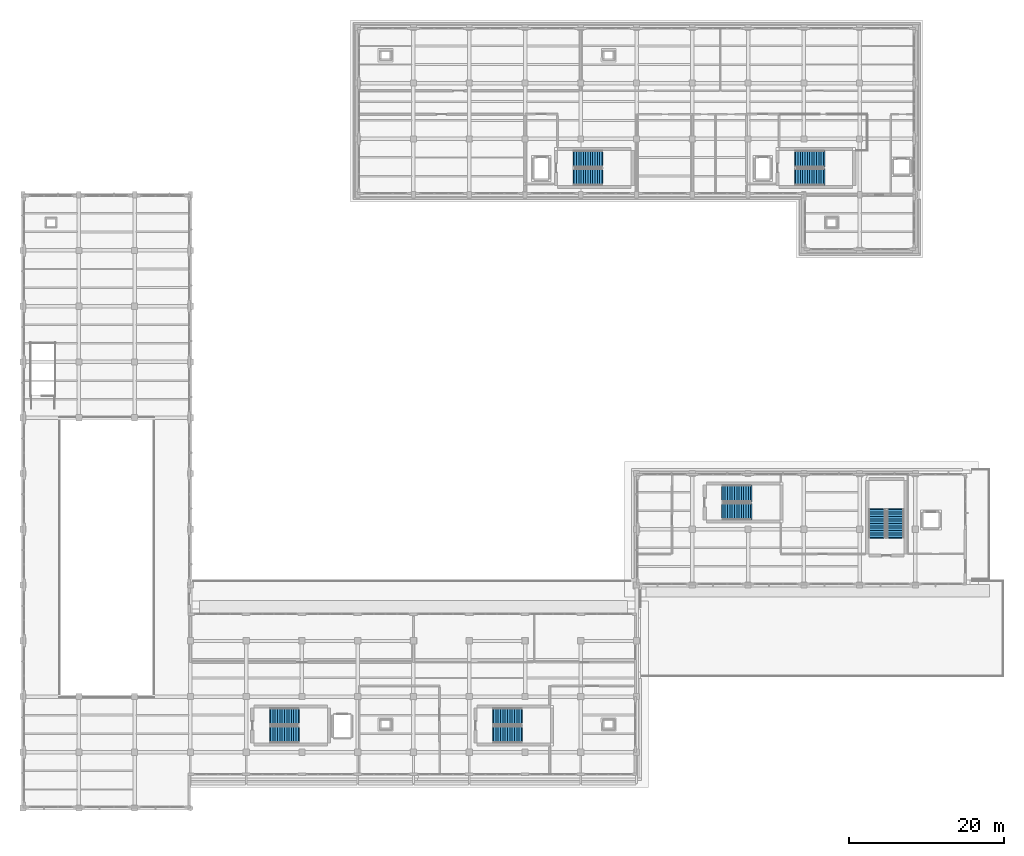
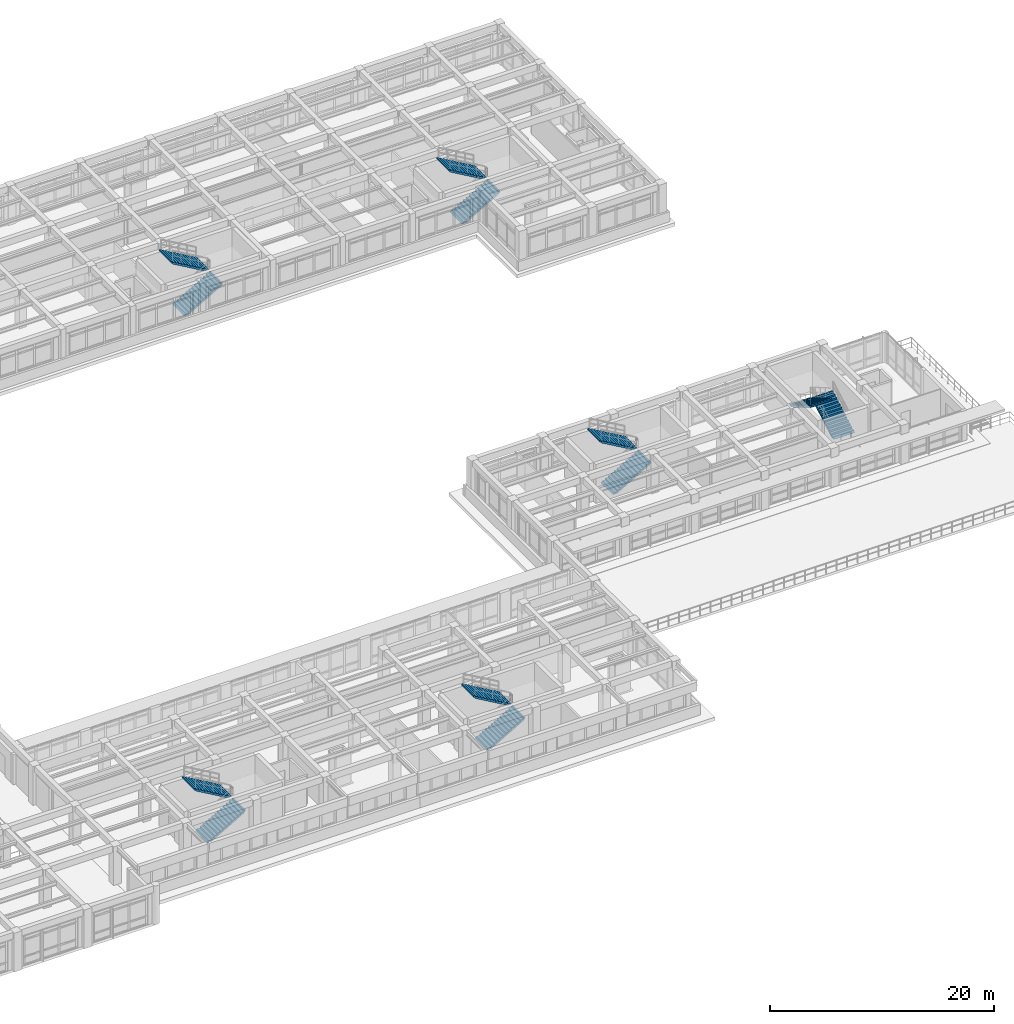
# One storey, part 53 of 67: 12 stair flights, 6 elements without a shape of their own.
"""IFC4 building model written with IfcOpenShell, lengths in metres."""

import ifcopenshell
import ifcopenshell.guid

model = None  # the IFC model being written
_history = None  # IfcOwnerHistory: only IFC2X3 demands one
_inside = {}  # id of a spatial element -> (the spatial element, [elements in it])
_under = {}  # id of a project, library or spatial element -> (it, [spatial elements below it])
_declared = {}  # id of a project -> (the project, [libraries it declares])
_typed = {}  # id of a type object -> (the type object, [elements of that type])
_made_of = {}  # id of a material, layer set ... -> (it, [elements and type objects made of it])


def new_model(schema):
    """Start an empty IFC model of exactly this schema.

    Asked for "IFC4X3", IfcOpenShell would pick the latest addendum, in which some entities
    have other attributes; the version numbers below select the first issue.
    IFC2X3 requires an IfcOwnerHistory on every rooted entity: one is made here for all.
    """
    global model, _history
    if schema == "IFC4X3":
        model = ifcopenshell.file(schema_version=(4, 3, 0, 0))
    else:
        model = ifcopenshell.file(schema=schema)
    _inside.clear()
    _under.clear()
    _declared.clear()
    _typed.clear()
    _made_of.clear()
    _history = None
    if model.schema == "IFC2X3":
        org = make("IfcOrganization", Name="unknown")
        user = make(
            "IfcPersonAndOrganization",
            ThePerson=make("IfcPerson", FamilyName="unknown"),
            TheOrganization=org,
        )
        app = make(
            "IfcApplication",
            ApplicationDeveloper=org,
            Version="unknown",
            ApplicationFullName="unknown",
            ApplicationIdentifier="unknown",
        )
        _history = make(
            "IfcOwnerHistory",
            OwningUser=user,
            OwningApplication=app,
            ChangeAction="ADDED",
            CreationDate=0,
        )
    return model


def make(cls, **values):
    """One entity of the class cls with the attributes given. An attribute that is None is left unset."""
    return model.create_entity(
        cls, **{name: value for name, value in values.items() if value is not None}
    )


def rooted(cls, **values):
    """An entity with a GlobalId (a new one), such as an element, a storey or a relation."""
    return make(cls, GlobalId=ifcopenshell.guid.new(), OwnerHistory=_history, **values)


def si_unit(unit_type, name, prefix=None):
    """IfcSIUnit, for example si_unit("LENGTHUNIT", "METRE", prefix="MILLI")."""
    return make("IfcSIUnit", UnitType=unit_type, Prefix=prefix, Name=name)


def assignment(units):
    """IfcUnitAssignment: the units of a project."""
    return None if units is None else make("IfcUnitAssignment", Units=units)


def point(xyz):
    """IfcCartesianPoint."""
    return None if xyz is None else make("IfcCartesianPoint", Coordinates=xyz)


def direction(xyz):
    """IfcDirection."""
    return None if xyz is None else make("IfcDirection", DirectionRatios=xyz)


def frame(location, z_axis=None, x_axis=None):
    """IfcAxis2Placement3D, a coordinate frame: its origin and axes. An axis left out is left unset."""
    return make(
        "IfcAxis2Placement3D",
        Location=point(location),
        Axis=direction(z_axis),
        RefDirection=direction(x_axis),
    )


def origin():
    """The frame at (0, 0, 0) with its axes left unset."""
    return frame((0.0, 0.0, 0.0))


def place(relative_to, where):
    """IfcLocalPlacement: puts the frame where relative to a parent placement (None: the world)."""
    return make(
        "IfcLocalPlacement", PlacementRelTo=relative_to, RelativePlacement=where
    )


def context(
    kind, dimensions, precision=None, world=None, true_north=None, identifier=None
):
    """IfcGeometricRepresentationContext, for example the 3D "Model" context."""
    return make(
        "IfcGeometricRepresentationContext",
        ContextIdentifier=identifier,
        ContextType=kind,
        CoordinateSpaceDimension=dimensions,
        Precision=precision,
        WorldCoordinateSystem=world,
        TrueNorth=true_north,
    )


def subcontext(parent, identifier, kind, view, scale=None):
    """IfcGeometricRepresentationSubContext, for example "Body" below "Model"."""
    return make(
        "IfcGeometricRepresentationSubContext",
        ContextIdentifier=identifier,
        ContextType=kind,
        ParentContext=parent,
        TargetScale=scale,
        TargetView=view,
    )


def project(units=None, contexts=None):
    """IfcProject with its units and contexts."""
    return rooted(
        "IfcProject",
        Name="project",
        RepresentationContexts=contexts,
        UnitsInContext=assignment(units),
    )


def spatial(cls, under=None, at=None, **own):
    """A site, building, storey or space (cls), placed at a placement, below another one or the project."""
    s = rooted(cls, ObjectPlacement=at, **own)
    if under is not None:
        _under.setdefault(under.id(), (under, []))[1].append(s)
    return s


def polyline(points):
    """IfcPolyline through the points."""
    return make("IfcPolyline", Points=[point(p) for p in points])


def outline(outer, holes=None, kind="AREA"):
    """IfcArbitraryClosedProfileDef: a profile drawn as a closed curve; with holes, ...WithVoids."""
    if holes is None:
        return make("IfcArbitraryClosedProfileDef", ProfileType=kind, OuterCurve=outer)
    return make(
        "IfcArbitraryProfileDefWithVoids",
        ProfileType=kind,
        OuterCurve=outer,
        InnerCurves=holes,
    )


def extrude(swept, where, along, depth):
    """IfcExtrudedAreaSolid: the profile swept, set in the frame where, extruded along a direction by depth."""
    return make(
        "IfcExtrudedAreaSolid",
        SweptArea=swept,
        Position=where,
        ExtrudedDirection=direction(along),
        Depth=depth,
    )


def shape(context_of_items, identifier, shape_type, items):
    """IfcShapeRepresentation: the items that make up one representation, for example the "Body"."""
    return make(
        "IfcShapeRepresentation",
        ContextOfItems=context_of_items,
        RepresentationIdentifier=identifier,
        RepresentationType=shape_type,
        Items=items,
    )


def material(Name=None, Category=None):
    """IfcMaterial."""
    return make("IfcMaterial", Name=Name, Category=Category)


def made_of(thing, what):
    """Note that an element or type object is made of a material, layer set ...; save() writes the relation."""
    if what is not None:
        _made_of.setdefault(what.id(), (what, []))[1].append(thing)
    return thing


def type_object(cls, material=None, **own):
    """A type object (cls), such as IfcWallType, which elements share."""
    return made_of(rooted(cls, **own), material)


def element(
    cls,
    number,
    at=None,
    inside=None,
    cuts=None,
    type_object=None,
    material=None,
    context=None,
    identifier="Body",
    shape_type=None,
    held_by="IfcProductDefinitionShape",
    body=None,
    shapes=None,
    **own,
):
    """One element of the class cls, such as IfcWall. Its Tag is "e" and its number.

    at: its placement. inside: the storey or other place that contains it. cuts: it is an
    opening in that element (IfcRelVoidsElement). A single representation is given by context,
    identifier, shape_type and body (its items); several are given by shapes. held_by: the class
    of the entity that holds the representations. save() writes the other relations.
    """
    e = rooted(cls, Tag="e%d" % number, ObjectPlacement=at, **own)
    if body is not None:
        shapes = [shape(context, identifier, shape_type, body)]
    if shapes is not None:
        e.Representation = make(held_by, Representations=shapes)
    if inside is not None:
        _inside.setdefault(inside.id(), (inside, []))[1].append(e)
    if cuts is not None:
        rooted(
            "IfcRelVoidsElement", RelatingBuildingElement=cuts, RelatedOpeningElement=e
        )
    if type_object is not None:
        _typed.setdefault(type_object.id(), (type_object, []))[1].append(e)
    return made_of(e, material)


def aggregate(whole, parts):
    """IfcRelAggregates: a whole, such as a stair, and the parts it consists of."""
    return rooted("IfcRelAggregates", RelatingObject=whole, RelatedObjects=parts)


def save(model, path):
    """Write the relations noted so far, then the file.

    IfcRelAggregates (storeys below a building ...), IfcRelContainedInSpatialStructure (elements
    in a storey), IfcRelDefinesByType, IfcRelAssociatesMaterial and IfcRelDeclares: one each for
    every whole, place, type object, material and project.
    """
    for whole, parts in _under.values():
        aggregate(whole, parts)
    for where, things in _inside.values():
        rooted(
            "IfcRelContainedInSpatialStructure",
            RelatedElements=things,
            RelatingStructure=where,
        )
    for kind, things in _typed.values():
        rooted("IfcRelDefinesByType", RelatedObjects=things, RelatingType=kind)
    for what, things in _made_of.values():
        rooted("IfcRelAssociatesMaterial", RelatedObjects=things, RelatingMaterial=what)
    for by, libraries in _declared.values():
        rooted("IfcRelDeclares", RelatingContext=by, RelatedDefinitions=libraries)
    model.write(path)


model = new_model("IFC4")

# Units and contexts
model_context = context("Model", 3, precision=1e-05, world=origin(), true_north=direction((0.0, 1.0)))
body_context = subcontext(model_context, "Body", "Model", "MODEL_VIEW")
ifc_project = project(units=[si_unit("LENGTHUNIT", "METRE"), si_unit("AREAUNIT", "SQUARE_METRE"), si_unit("VOLUMEUNIT", "CUBIC_METRE"), si_unit("PLANEANGLEUNIT", "RADIAN"), si_unit("MASSUNIT", "GRAM", prefix="KILO")], contexts=[model_context])

# Site, building, storey
site_placement = place(None, origin())
site = spatial("IfcSite", under=ifc_project, at=site_placement, CompositionType="ELEMENT")
building_placement = place(site_placement, origin())
building = spatial("IfcBuilding", under=site, at=building_placement, Name="Solenvale Faculty of Natural Sciences", CompositionType="ELEMENT")
storey_placement = place(building_placement, frame((0.0, 0.0, 13.5)))
storey = spatial("IfcBuildingStorey", under=building, at=storey_placement, Name="L03", CompositionType="ELEMENT", Elevation=13.5)

# Stair, stair flights
ifc_material = material(Name="Concrete 40 MPa", Category="concrete")
stair_type = type_object("IfcStairType", Name="STR-CORE-25R", PredefinedType="DOUBLE_RETURN_STAIR", material=ifc_material)
stair_1_placement = place(storey_placement, origin())
stair_1 = element("IfcStair", 1, at=stair_1_placement, inside=storey, type_object=stair_type, Name="L03 Protected Exit Stair ST-02", PredefinedType="DOUBLE_RETURN_STAIR")
stair_flight_type = type_object("IfcStairFlightType", Name="SFL-RC-25R", PredefinedType="STRAIGHT", material=ifc_material)
stair_flight_1_placement = place(storey_placement, frame((148.625, 49.340087890625, 0.0), z_axis=(0.0, 0.0, 1.0), x_axis=(0.0, 1.0, 0.0)))
stair_flight_1 = element("IfcStairFlight", 2, at=stair_flight_1_placement, type_object=stair_flight_type, Name="ST-02 flight 1", NumberOfRisers=13, NumberOfTreads=12, PredefinedType="STRAIGHT", RiserHeight=0.173076923, TreadLength=0.3, context=body_context, shape_type="SweptSolid", body=[
    extrude(outline(polyline([(-0.159912109375, 0.0), (0.0, 0.173095703125), (0.300048828125, 0.173095703125), (0.300048828125, 0.34619140625), (0.60009765625, 0.34619140625), (0.60009765625, 0.519287109375), (0.89990234375, 0.519287109375), (0.89990234375, 0.6923828125), (1.199951171875, 0.6923828125), (1.199951171875, 0.865478515625), (1.5, 0.865478515625), (1.5, 1.03857421875), (1.800048828125, 1.03857421875), (1.800048828125, 1.21142578125), (2.10009765625, 1.21142578125), (2.10009765625, 1.384521484375), (2.39990234375, 1.384521484375), (2.39990234375, 1.5576171875), (2.699951171875, 1.5576171875), (2.699951171875, 1.730712890625), (3.0, 1.730712890625), (3.0, 1.90380859375), (3.300048828125, 1.90380859375), (3.300048828125, 2.076904296875), (3.60009765625, 2.076904296875), (3.60009765625, 2.25), (3.760009765625, 2.25), (3.760009765625, 2.10009765625), (3.60009765625, 1.90380859375), (0.300048828125, 0.0), (-0.159912109375, 0.0)])), frame((0.0, 1.074951171875, 0.0), z_axis=(0.0, -1.0, 0.0), x_axis=(1.0, 0.0, 0.0)), (0.0, 0.0, 1.0), 2.14990234375),
])
stair_flight_2_placement = place(storey_placement, frame((146.27490234375, 52.93994140625, 2.25), z_axis=(0.0, 0.0, 1.0), x_axis=(0.0, -1.0, 0.0)))
stair_flight_2 = element("IfcStairFlight", 3, at=stair_flight_2_placement, type_object=stair_flight_type, Name="ST-02 flight 2", NumberOfRisers=13, NumberOfTreads=12, PredefinedType="STRAIGHT", RiserHeight=0.173076923, TreadLength=0.3, context=body_context, shape_type="SweptSolid", body=[
    extrude(outline(polyline([(-0.159912109375, 0.0), (0.0, 0.173095703125), (0.300048828125, 0.173095703125), (0.300048828125, 0.34619140625), (0.60009765625, 0.34619140625), (0.60009765625, 0.519287109375), (0.89990234375, 0.519287109375), (0.89990234375, 0.6923828125), (1.199951171875, 0.6923828125), (1.199951171875, 0.865478515625), (1.5, 0.865478515625), (1.5, 1.03857421875), (1.800048828125, 1.03857421875), (1.800048828125, 1.21142578125), (2.10009765625, 1.21142578125), (2.10009765625, 1.384521484375), (2.39990234375, 1.384521484375), (2.39990234375, 1.5576171875), (2.699951171875, 1.5576171875), (2.699951171875, 1.730712890625), (3.0, 1.730712890625), (3.0, 1.90380859375), (3.300048828125, 1.90380859375), (3.300048828125, 2.076904296875), (3.60009765625, 2.076904296875), (3.60009765625, 2.25), (3.760009765625, 2.25), (3.760009765625, 2.10009765625), (3.60009765625, 1.90380859375), (0.300048828125, 0.0), (-0.159912109375, 0.0)])), frame((0.0, 1.074951171875, 0.0), z_axis=(0.0, -1.0, 0.0), x_axis=(1.0, 0.0, 0.0)), (0.0, 0.0, 1.0), 2.14990234375),
])
aggregate(stair_1, [stair_flight_1, stair_flight_2])

stair_2_placement = place(storey_placement, origin())
stair_2 = element("IfcStair", 4, at=stair_2_placement, inside=storey, type_object=stair_type, Name="L03 Protected Exit Stair ST-08", PredefinedType="DOUBLE_RETURN_STAIR")
stair_flight_3_placement = place(storey_placement, frame((126.340087890625, 52.675048828125, 0.0), z_axis=(0.0, 0.0, 1.0), x_axis=(1.0, 0.0, 0.0)))
stair_flight_3 = element("IfcStairFlight", 5, at=stair_flight_3_placement, type_object=stair_flight_type, Name="ST-08 flight 1", NumberOfRisers=13, NumberOfTreads=12, PredefinedType="STRAIGHT", RiserHeight=0.173076923, TreadLength=0.3, context=body_context, shape_type="SweptSolid", body=[
    extrude(outline(polyline([(-0.159912109375, 0.0), (0.0, 0.173095703125), (0.300048828125, 0.173095703125), (0.300048828125, 0.34619140625), (0.60009765625, 0.34619140625), (0.60009765625, 0.519287109375), (0.89990234375, 0.519287109375), (0.89990234375, 0.6923828125), (1.199951171875, 0.6923828125), (1.199951171875, 0.865478515625), (1.5, 0.865478515625), (1.5, 1.03857421875), (1.800048828125, 1.03857421875), (1.800048828125, 1.21142578125), (2.10009765625, 1.21142578125), (2.10009765625, 1.384521484375), (2.39990234375, 1.384521484375), (2.39990234375, 1.5576171875), (2.699951171875, 1.5576171875), (2.699951171875, 1.730712890625), (3.0, 1.730712890625), (3.0, 1.90380859375), (3.300048828125, 1.90380859375), (3.300048828125, 2.076904296875), (3.60009765625, 2.076904296875), (3.60009765625, 2.25), (3.760009765625, 2.25), (3.760009765625, 2.10009765625), (3.60009765625, 1.90380859375), (0.300048828125, 0.0), (-0.159912109375, 0.0)])), frame((0.0, 1.074951171875, 0.0), z_axis=(0.0, -1.0, 0.0), x_axis=(1.0, 0.0, 0.0)), (0.0, 0.0, 1.0), 2.14990234375),
])
stair_flight_4_placement = place(storey_placement, frame((129.93994140625, 55.02490234375, 2.25), z_axis=(0.0, 0.0, 1.0), x_axis=(-1.0, 0.0, 0.0)))
stair_flight_4 = element("IfcStairFlight", 6, at=stair_flight_4_placement, type_object=stair_flight_type, Name="ST-08 flight 2", NumberOfRisers=13, NumberOfTreads=12, PredefinedType="STRAIGHT", RiserHeight=0.173076923, TreadLength=0.3, context=body_context, shape_type="SweptSolid", body=[
    extrude(outline(polyline([(-0.159912109375, 0.0), (0.0, 0.173095703125), (0.300048828125, 0.173095703125), (0.300048828125, 0.34619140625), (0.60009765625, 0.34619140625), (0.60009765625, 0.519287109375), (0.89990234375, 0.519287109375), (0.89990234375, 0.6923828125), (1.199951171875, 0.6923828125), (1.199951171875, 0.865478515625), (1.5, 0.865478515625), (1.5, 1.03857421875), (1.800048828125, 1.03857421875), (1.800048828125, 1.21142578125), (2.10009765625, 1.21142578125), (2.10009765625, 1.384521484375), (2.39990234375, 1.384521484375), (2.39990234375, 1.5576171875), (2.699951171875, 1.5576171875), (2.699951171875, 1.730712890625), (3.0, 1.730712890625), (3.0, 1.90380859375), (3.300048828125, 1.90380859375), (3.300048828125, 2.076904296875), (3.60009765625, 2.076904296875), (3.60009765625, 2.25), (3.760009765625, 2.25), (3.760009765625, 2.10009765625), (3.60009765625, 1.90380859375), (0.300048828125, 0.0), (-0.159912109375, 0.0)])), frame((0.0, 1.074951171875, 0.0), z_axis=(0.0, -1.0, 0.0), x_axis=(1.0, 0.0, 0.0)), (0.0, 0.0, 1.0), 2.14990234375),
])
aggregate(stair_2, [stair_flight_3, stair_flight_4])

stair_3_placement = place(storey_placement, origin())
stair_3 = element("IfcStair", 7, at=stair_3_placement, inside=storey, type_object=stair_type, Name="L03 Protected Exit Stair ST-03", PredefinedType="DOUBLE_RETURN_STAIR")
stair_flight_5_placement = place(storey_placement, frame((67.93994140625, 23.875, 0.0), z_axis=(0.0, 0.0, 1.0), x_axis=(1.0, 0.0, 0.0)))
stair_flight_5 = element("IfcStairFlight", 8, at=stair_flight_5_placement, type_object=stair_flight_type, Name="ST-03 flight 1", NumberOfRisers=13, NumberOfTreads=12, PredefinedType="STRAIGHT", RiserHeight=0.173076923, TreadLength=0.3, context=body_context, shape_type="SweptSolid", body=[
    extrude(outline(polyline([(-0.159912109375, 0.0), (0.0, 0.173095703125), (0.300048828125, 0.173095703125), (0.300048828125, 0.34619140625), (0.60009765625, 0.34619140625), (0.60009765625, 0.519287109375), (0.89990234375, 0.519287109375), (0.89990234375, 0.6923828125), (1.199951171875, 0.6923828125), (1.199951171875, 0.865478515625), (1.5, 0.865478515625), (1.5, 1.03857421875), (1.800048828125, 1.03857421875), (1.800048828125, 1.21142578125), (2.10009765625, 1.21142578125), (2.10009765625, 1.384521484375), (2.39990234375, 1.384521484375), (2.39990234375, 1.5576171875), (2.699951171875, 1.5576171875), (2.699951171875, 1.730712890625), (3.0, 1.730712890625), (3.0, 1.90380859375), (3.300048828125, 1.90380859375), (3.300048828125, 2.076904296875), (3.60009765625, 2.076904296875), (3.60009765625, 2.25), (3.760009765625, 2.25), (3.760009765625, 2.10009765625), (3.60009765625, 1.90380859375), (0.300048828125, 0.0), (-0.159912109375, 0.0)])), frame((0.0, 1.074951171875, 0.0), z_axis=(0.0, -1.0, 0.0), x_axis=(1.0, 0.0, 0.0)), (0.0, 0.0, 1.0), 2.14990234375),
])
stair_flight_6_placement = place(storey_placement, frame((71.5400390625, 26.22509765625, 2.25), z_axis=(0.0, 0.0, 1.0), x_axis=(-1.0, 0.0, 0.0)))
stair_flight_6 = element("IfcStairFlight", 9, at=stair_flight_6_placement, type_object=stair_flight_type, Name="ST-03 flight 2", NumberOfRisers=13, NumberOfTreads=12, PredefinedType="STRAIGHT", RiserHeight=0.173076923, TreadLength=0.3, context=body_context, shape_type="SweptSolid", body=[
    extrude(outline(polyline([(-0.159912109375, 0.0), (0.0, 0.173095703125), (0.300048828125, 0.173095703125), (0.300048828125, 0.34619140625), (0.60009765625, 0.34619140625), (0.60009765625, 0.519287109375), (0.89990234375, 0.519287109375), (0.89990234375, 0.6923828125), (1.199951171875, 0.6923828125), (1.199951171875, 0.865478515625), (1.5, 0.865478515625), (1.5, 1.03857421875), (1.800048828125, 1.03857421875), (1.800048828125, 1.21142578125), (2.10009765625, 1.21142578125), (2.10009765625, 1.384521484375), (2.39990234375, 1.384521484375), (2.39990234375, 1.5576171875), (2.699951171875, 1.5576171875), (2.699951171875, 1.730712890625), (3.0, 1.730712890625), (3.0, 1.90380859375), (3.300048828125, 1.90380859375), (3.300048828125, 2.076904296875), (3.60009765625, 2.076904296875), (3.60009765625, 2.25), (3.760009765625, 2.25), (3.760009765625, 2.10009765625), (3.60009765625, 1.90380859375), (0.300048828125, 0.0), (-0.159912109375, 0.0)])), frame((0.0, 1.074951171875, 0.0), z_axis=(0.0, -1.0, 0.0), x_axis=(1.0, 0.0, 0.0)), (0.0, 0.0, 1.0), 2.14990234375),
])
aggregate(stair_3, [stair_flight_5, stair_flight_6])

stair_4_placement = place(storey_placement, origin())
stair_4 = element("IfcStair", 10, at=stair_4_placement, inside=storey, type_object=stair_type, Name="L03 Protected Exit Stair ST-07", PredefinedType="DOUBLE_RETURN_STAIR")
stair_flight_7_placement = place(storey_placement, frame((96.739990234375, 23.875, 0.0), z_axis=(0.0, 0.0, 1.0), x_axis=(1.0, 0.0, 0.0)))
stair_flight_7 = element("IfcStairFlight", 11, at=stair_flight_7_placement, type_object=stair_flight_type, Name="ST-07 flight 1", NumberOfRisers=13, NumberOfTreads=12, PredefinedType="STRAIGHT", RiserHeight=0.173076923, TreadLength=0.3, context=body_context, shape_type="SweptSolid", body=[
    extrude(outline(polyline([(-0.159912109375, 0.0), (0.0, 0.173095703125), (0.300048828125, 0.173095703125), (0.300048828125, 0.34619140625), (0.60009765625, 0.34619140625), (0.60009765625, 0.519287109375), (0.89990234375, 0.519287109375), (0.89990234375, 0.6923828125), (1.199951171875, 0.6923828125), (1.199951171875, 0.865478515625), (1.5, 0.865478515625), (1.5, 1.03857421875), (1.800048828125, 1.03857421875), (1.800048828125, 1.21142578125), (2.10009765625, 1.21142578125), (2.10009765625, 1.384521484375), (2.39990234375, 1.384521484375), (2.39990234375, 1.5576171875), (2.699951171875, 1.5576171875), (2.699951171875, 1.730712890625), (3.0, 1.730712890625), (3.0, 1.90380859375), (3.300048828125, 1.90380859375), (3.300048828125, 2.076904296875), (3.60009765625, 2.076904296875), (3.60009765625, 2.25), (3.760009765625, 2.25), (3.760009765625, 2.10009765625), (3.60009765625, 1.90380859375), (0.300048828125, 0.0), (-0.159912109375, 0.0)])), frame((0.0, 1.074951171875, 0.0), z_axis=(0.0, -1.0, 0.0), x_axis=(1.0, 0.0, 0.0)), (0.0, 0.0, 1.0), 2.14990234375),
])
stair_flight_8_placement = place(storey_placement, frame((100.340087890625, 26.22509765625, 2.25), z_axis=(0.0, 0.0, 1.0), x_axis=(-1.0, 0.0, 0.0)))
stair_flight_8 = element("IfcStairFlight", 12, at=stair_flight_8_placement, type_object=stair_flight_type, Name="ST-07 flight 2", NumberOfRisers=13, NumberOfTreads=12, PredefinedType="STRAIGHT", RiserHeight=0.173076923, TreadLength=0.3, context=body_context, shape_type="SweptSolid", body=[
    extrude(outline(polyline([(-0.159912109375, 0.0), (0.0, 0.173095703125), (0.300048828125, 0.173095703125), (0.300048828125, 0.34619140625), (0.60009765625, 0.34619140625), (0.60009765625, 0.519287109375), (0.89990234375, 0.519287109375), (0.89990234375, 0.6923828125), (1.199951171875, 0.6923828125), (1.199951171875, 0.865478515625), (1.5, 0.865478515625), (1.5, 1.03857421875), (1.800048828125, 1.03857421875), (1.800048828125, 1.21142578125), (2.10009765625, 1.21142578125), (2.10009765625, 1.384521484375), (2.39990234375, 1.384521484375), (2.39990234375, 1.5576171875), (2.699951171875, 1.5576171875), (2.699951171875, 1.730712890625), (3.0, 1.730712890625), (3.0, 1.90380859375), (3.300048828125, 1.90380859375), (3.300048828125, 2.076904296875), (3.60009765625, 2.076904296875), (3.60009765625, 2.25), (3.760009765625, 2.25), (3.760009765625, 2.10009765625), (3.60009765625, 1.90380859375), (0.300048828125, 0.0), (-0.159912109375, 0.0)])), frame((0.0, 1.074951171875, 0.0), z_axis=(0.0, -1.0, 0.0), x_axis=(1.0, 0.0, 0.0)), (0.0, 0.0, 1.0), 2.14990234375),
])
aggregate(stair_4, [stair_flight_7, stair_flight_8])

stair_5_placement = place(storey_placement, origin())
stair_5 = element("IfcStair", 13, at=stair_5_placement, inside=storey, type_object=stair_type, Name="L03 Protected Exit Stair ST-04", PredefinedType="DOUBLE_RETURN_STAIR")
stair_flight_9_placement = place(storey_placement, frame((107.139892578125, 95.875, 0.0), z_axis=(0.0, 0.0, 1.0), x_axis=(1.0, 0.0, 0.0)))
stair_flight_9 = element("IfcStairFlight", 14, at=stair_flight_9_placement, type_object=stair_flight_type, Name="ST-04 flight 1", NumberOfRisers=13, NumberOfTreads=12, PredefinedType="STRAIGHT", RiserHeight=0.173076923, TreadLength=0.3, context=body_context, shape_type="SweptSolid", body=[
    extrude(outline(polyline([(-0.159912109375, 0.0), (0.0, 0.173095703125), (0.300048828125, 0.173095703125), (0.300048828125, 0.34619140625), (0.60009765625, 0.34619140625), (0.60009765625, 0.519287109375), (0.89990234375, 0.519287109375), (0.89990234375, 0.6923828125), (1.199951171875, 0.6923828125), (1.199951171875, 0.865478515625), (1.5, 0.865478515625), (1.5, 1.03857421875), (1.800048828125, 1.03857421875), (1.800048828125, 1.21142578125), (2.10009765625, 1.21142578125), (2.10009765625, 1.384521484375), (2.39990234375, 1.384521484375), (2.39990234375, 1.5576171875), (2.699951171875, 1.5576171875), (2.699951171875, 1.730712890625), (3.0, 1.730712890625), (3.0, 1.90380859375), (3.300048828125, 1.90380859375), (3.300048828125, 2.076904296875), (3.60009765625, 2.076904296875), (3.60009765625, 2.25), (3.760009765625, 2.25), (3.760009765625, 2.10009765625), (3.60009765625, 1.90380859375), (0.300048828125, 0.0), (-0.159912109375, 0.0)])), frame((0.0, 1.074951171875, 0.0), z_axis=(0.0, -1.0, 0.0), x_axis=(1.0, 0.0, 0.0)), (0.0, 0.0, 1.0), 2.14990234375),
])
stair_flight_10_placement = place(storey_placement, frame((110.739990234375, 98.22509765625, 2.25), z_axis=(0.0, 0.0, 1.0), x_axis=(-1.0, 0.0, 0.0)))
stair_flight_10 = element("IfcStairFlight", 15, at=stair_flight_10_placement, type_object=stair_flight_type, Name="ST-04 flight 2", NumberOfRisers=13, NumberOfTreads=12, PredefinedType="STRAIGHT", RiserHeight=0.173076923, TreadLength=0.3, context=body_context, shape_type="SweptSolid", body=[
    extrude(outline(polyline([(-0.159912109375, 0.0), (0.0, 0.173095703125), (0.300048828125, 0.173095703125), (0.300048828125, 0.34619140625), (0.60009765625, 0.34619140625), (0.60009765625, 0.519287109375), (0.89990234375, 0.519287109375), (0.89990234375, 0.6923828125), (1.199951171875, 0.6923828125), (1.199951171875, 0.865478515625), (1.5, 0.865478515625), (1.5, 1.03857421875), (1.800048828125, 1.03857421875), (1.800048828125, 1.21142578125), (2.10009765625, 1.21142578125), (2.10009765625, 1.384521484375), (2.39990234375, 1.384521484375), (2.39990234375, 1.5576171875), (2.699951171875, 1.5576171875), (2.699951171875, 1.730712890625), (3.0, 1.730712890625), (3.0, 1.90380859375), (3.300048828125, 1.90380859375), (3.300048828125, 2.076904296875), (3.60009765625, 2.076904296875), (3.60009765625, 2.25), (3.760009765625, 2.25), (3.760009765625, 2.10009765625), (3.60009765625, 1.90380859375), (0.300048828125, 0.0), (-0.159912109375, 0.0)])), frame((0.0, 1.074951171875, 0.0), z_axis=(0.0, -1.0, 0.0), x_axis=(1.0, 0.0, 0.0)), (0.0, 0.0, 1.0), 2.14990234375),
])
aggregate(stair_5, [stair_flight_9, stair_flight_10])

stair_6_placement = place(storey_placement, origin())
stair_6 = element("IfcStair", 16, at=stair_6_placement, inside=storey, type_object=stair_type, Name="L03 Protected Exit Stair ST-05", PredefinedType="DOUBLE_RETURN_STAIR")
stair_flight_11_placement = place(storey_placement, frame((135.739990234375, 95.875, 0.0), z_axis=(0.0, 0.0, 1.0), x_axis=(1.0, 0.0, 0.0)))
stair_flight_11 = element("IfcStairFlight", 17, at=stair_flight_11_placement, type_object=stair_flight_type, Name="ST-05 flight 1", NumberOfRisers=13, NumberOfTreads=12, PredefinedType="STRAIGHT", RiserHeight=0.173076923, TreadLength=0.3, context=body_context, shape_type="SweptSolid", body=[
    extrude(outline(polyline([(-0.159912109375, 0.0), (0.0, 0.173095703125), (0.300048828125, 0.173095703125), (0.300048828125, 0.34619140625), (0.60009765625, 0.34619140625), (0.60009765625, 0.519287109375), (0.89990234375, 0.519287109375), (0.89990234375, 0.6923828125), (1.199951171875, 0.6923828125), (1.199951171875, 0.865478515625), (1.5, 0.865478515625), (1.5, 1.03857421875), (1.800048828125, 1.03857421875), (1.800048828125, 1.21142578125), (2.10009765625, 1.21142578125), (2.10009765625, 1.384521484375), (2.39990234375, 1.384521484375), (2.39990234375, 1.5576171875), (2.699951171875, 1.5576171875), (2.699951171875, 1.730712890625), (3.0, 1.730712890625), (3.0, 1.90380859375), (3.300048828125, 1.90380859375), (3.300048828125, 2.076904296875), (3.60009765625, 2.076904296875), (3.60009765625, 2.25), (3.760009765625, 2.25), (3.760009765625, 2.10009765625), (3.60009765625, 1.90380859375), (0.300048828125, 0.0), (-0.159912109375, 0.0)])), frame((0.0, 1.074951171875, 0.0), z_axis=(0.0, -1.0, 0.0), x_axis=(1.0, 0.0, 0.0)), (0.0, 0.0, 1.0), 2.14990234375),
])
stair_flight_12_placement = place(storey_placement, frame((139.340087890625, 98.22509765625, 2.25), z_axis=(0.0, 0.0, 1.0), x_axis=(-1.0, 0.0, 0.0)))
stair_flight_12 = element("IfcStairFlight", 18, at=stair_flight_12_placement, type_object=stair_flight_type, Name="ST-05 flight 2", NumberOfRisers=13, NumberOfTreads=12, PredefinedType="STRAIGHT", RiserHeight=0.173076923, TreadLength=0.3, context=body_context, shape_type="SweptSolid", body=[
    extrude(outline(polyline([(-0.159912109375, 0.0), (0.0, 0.173095703125), (0.300048828125, 0.173095703125), (0.300048828125, 0.34619140625), (0.60009765625, 0.34619140625), (0.60009765625, 0.519287109375), (0.89990234375, 0.519287109375), (0.89990234375, 0.6923828125), (1.199951171875, 0.6923828125), (1.199951171875, 0.865478515625), (1.5, 0.865478515625), (1.5, 1.03857421875), (1.800048828125, 1.03857421875), (1.800048828125, 1.21142578125), (2.10009765625, 1.21142578125), (2.10009765625, 1.384521484375), (2.39990234375, 1.384521484375), (2.39990234375, 1.5576171875), (2.699951171875, 1.5576171875), (2.699951171875, 1.730712890625), (3.0, 1.730712890625), (3.0, 1.90380859375), (3.300048828125, 1.90380859375), (3.300048828125, 2.076904296875), (3.60009765625, 2.076904296875), (3.60009765625, 2.25), (3.760009765625, 2.25), (3.760009765625, 2.10009765625), (3.60009765625, 1.90380859375), (0.300048828125, 0.0), (-0.159912109375, 0.0)])), frame((0.0, 1.074951171875, 0.0), z_axis=(0.0, -1.0, 0.0), x_axis=(1.0, 0.0, 0.0)), (0.0, 0.0, 1.0), 2.14990234375),
])
aggregate(stair_6, [stair_flight_11, stair_flight_12])

save(model, "model.ifc")
